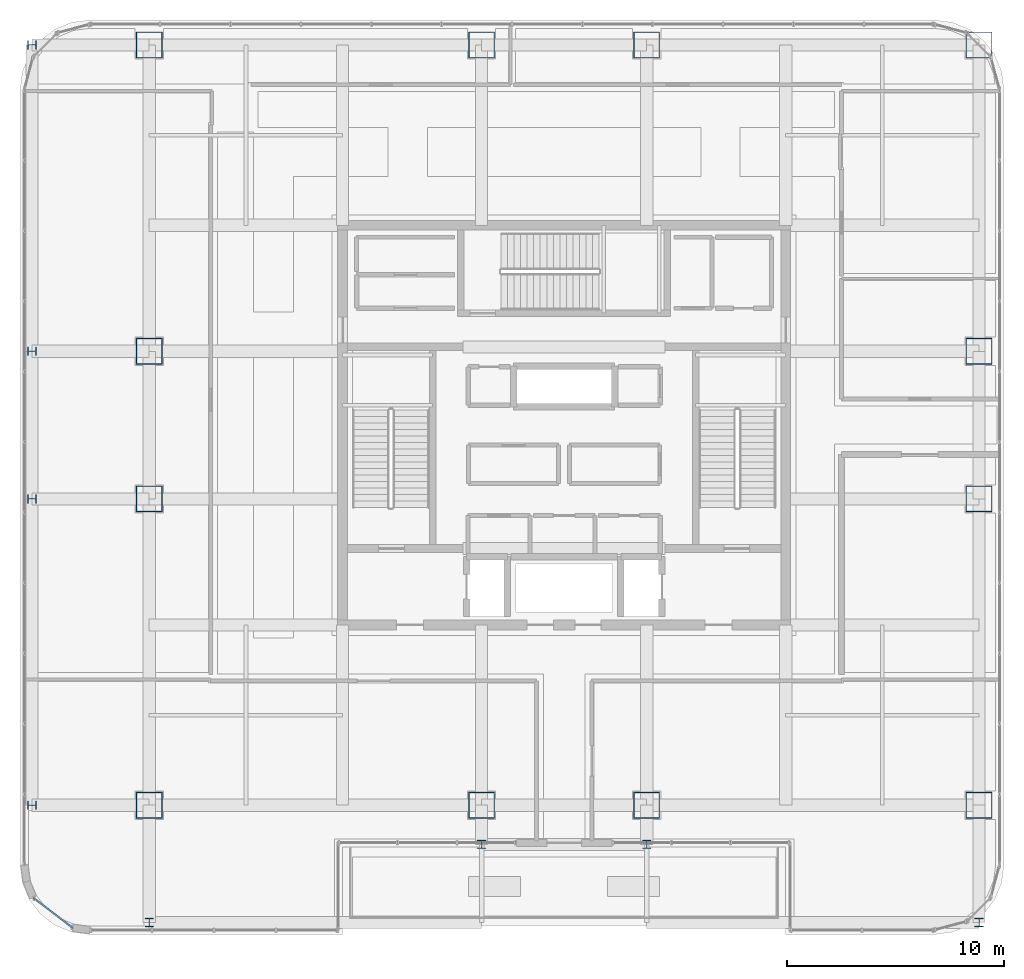
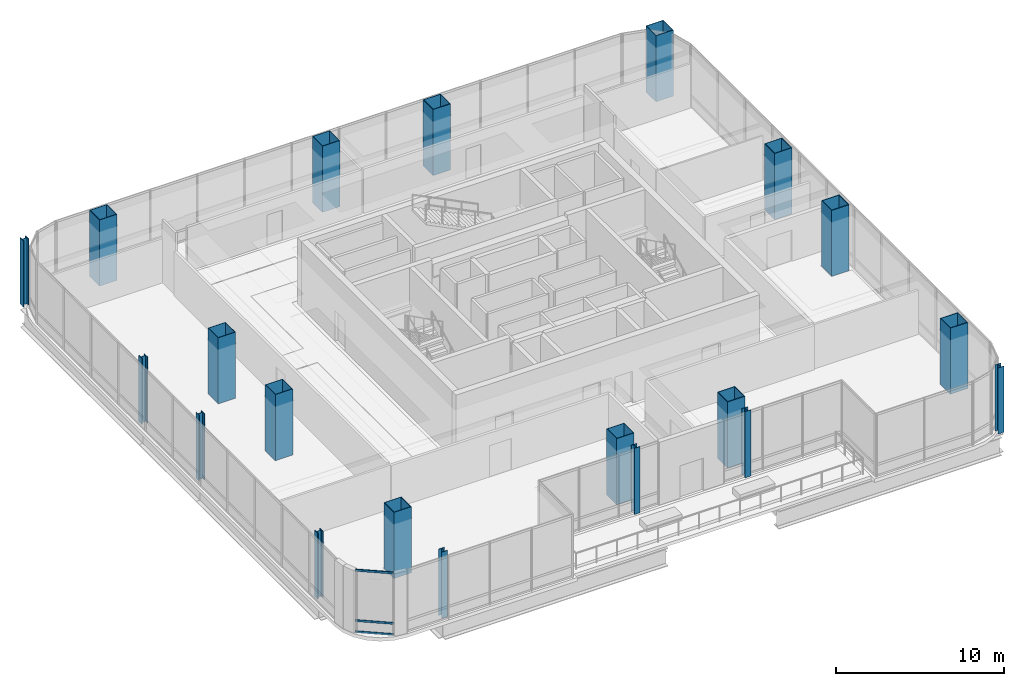
# One storey, part 1 of 44: 20 columns, 3 members, 1 element without a shape of its own.
"""IFC4 building model written with IfcOpenShell, lengths in metres."""

from ifc_helpers import new_model, si_unit, direction, frame, origin, origin_2d, place, context, subcontext, project, spatial, hollow_rectangle, i_section, extrude, material, material_profile, profile_set, type_object, element, aggregate, save


model = new_model("IFC4")

# Units and contexts
model_context = context("Model", 3, precision=1e-05, world=origin(), true_north=direction((0.0, 1.0)))
body_context = subcontext(model_context, "Body", "Model", "MODEL_VIEW")
ifc_project = project(units=[si_unit("LENGTHUNIT", "METRE"), si_unit("AREAUNIT", "SQUARE_METRE"), si_unit("VOLUMEUNIT", "CUBIC_METRE"), si_unit("PLANEANGLEUNIT", "RADIAN"), si_unit("MASSUNIT", "GRAM", prefix="KILO")], contexts=[model_context])

# Site, building, storey
site_placement = place(None, origin())
site = spatial("IfcSite", under=ifc_project, at=site_placement, CompositionType="ELEMENT")
building_placement = place(site_placement, origin())
building = spatial("IfcBuilding", under=site, at=building_placement, Name="Punatoya Terracotta Tower", CompositionType="ELEMENT")
storey_placement = place(building_placement, frame((0.0, 0.0, 334.199951171875)))
storey = spatial("IfcBuildingStorey", under=building, at=storey_placement, Name="L79", CompositionType="ELEMENT", Elevation=334.199951171875)

# Columns
ifc_material_1 = material(Name="Steel S355", Category="steel")
ifc_material_profile_1 = material_profile(ifc_material_1, i_section(OverallWidth=0.40087890625, OverallDepth=0.39892578125, WebThickness=0.02490234375, FlangeThickness=0.0400390625, FilletRadius=0.01806640625, at=origin_2d()))
ifc_profile_set_1 = profile_set([ifc_material_profile_1], Name="Steel S355")
column_type_1 = type_object("IfcColumnType", Name="COL-EX-OB", PredefinedType="COLUMN", material=ifc_profile_set_1)
for number, where, z_axis, x_axis, name in (
    (1, (-19.10009765625, -22.89990234375, 0.0), (0.0, 0.0, 1.0), (1.0, 0.0, 0.0), "L79 Exoskeleton Perimeter Column S1"),
    (2, (-3.800048828125, -19.300048828125, 0.0), (0.0, 0.0, 1.0), (1.0, 0.0, 0.0), "L79 Exoskeleton Perimeter Column S2"),
    (3, (3.800048828125, -19.300048828125, 0.0), (0.0, 0.0, 1.0), (1.0, 0.0, 0.0), "L79 Exoskeleton Perimeter Column S3"),
    (4, (19.10009765625, -22.89990234375, 0.0), (0.0, 0.0, 1.0), (1.0, 0.0, 0.0), "L79 Exoskeleton Perimeter Column S4"),
    (5, (-24.5, -17.5, 0.0), (0.0, 0.0, 1.0), (0.0, 1.0, 0.0), "L79 Exoskeleton Perimeter Column W1"),
    (6, (-24.5, -3.39990234375, 0.0), (0.0, 0.0, 1.0), (0.0, 1.0, 0.0), "L79 Exoskeleton Perimeter Column W2"),
    (7, (-24.5, 3.39990234375, 0.0), (0.0, 0.0, 1.0), (0.0, 1.0, 0.0), "L79 Exoskeleton Perimeter Column W3"),
    (8, (-24.5, 17.5, 0.0), (0.0, 0.0, 1.0), (0.0, 1.0, 0.0), "L79 Exoskeleton Perimeter Column W4"),
):
    element("IfcColumn", number, at=place(storey_placement, frame(where, z_axis=z_axis, x_axis=x_axis)), inside=storey, type_object=column_type_1, Name=name, PredefinedType="COLUMN", context=body_context, shape_type="SweptSolid", body=[
        extrude(i_section(OverallWidth=0.40087890625, OverallDepth=0.39892578125, WebThickness=0.02490234375, FlangeThickness=0.0400390625, FilletRadius=0.01806640625, at=origin_2d()), origin(), (0.0, 0.0, 1.0), 4.798095703125),
    ])
ifc_material_2 = material(Name="Steel S460", Category="steel")
ifc_material_profile_2 = material_profile(ifc_material_2, hollow_rectangle(XDim=1.199951171875, YDim=1.199951171875, WallThickness=0.034912109375, at=origin_2d()))
ifc_profile_set_2 = profile_set([ifc_material_profile_2], Name="Steel S460")
column_type_2 = type_object("IfcColumnType", Name="COL-MC-Z4", PredefinedType="COLUMN", material=ifc_profile_set_2)
for number, where, z_axis, x_axis, name in (
    (9, (-19.10009765625, -17.5, 0.0), (0.0, 0.0, 1.0), (1.0, 0.0, 0.0), "L79 Composite Mega-Column MC-01 (3-B)"),
    (10, (-3.800048828125, -17.5, 0.0), (0.0, 0.0, 1.0), (1.0, 0.0, 0.0), "L79 Composite Mega-Column MC-02 (5-B)"),
    (11, (3.800048828125, -17.5, 0.0), (0.0, 0.0, 1.0), (1.0, 0.0, 0.0), "L79 Composite Mega-Column MC-03 (7-B)"),
    (12, (19.10009765625, -17.5, 0.0), (0.0, 0.0, 1.0), (1.0, 0.0, 0.0), "L79 Composite Mega-Column MC-04 (9-B)"),
    (13, (19.10009765625, -3.39990234375, 0.0), (0.0, 0.0, 1.0), (1.0, 0.0, 0.0), "L79 Composite Mega-Column MC-05 (9-D)"),
    (14, (19.10009765625, 3.39990234375, 0.0), (0.0, 0.0, 1.0), (1.0, 0.0, 0.0), "L79 Composite Mega-Column MC-06 (9-E)"),
    (15, (19.10009765625, 17.5, 0.0), (0.0, 0.0, 1.0), (1.0, 0.0, 0.0), "L79 Composite Mega-Column MC-07 (9-G)"),
    (16, (3.800048828125, 17.5, 0.0), (0.0, 0.0, 1.0), (1.0, 0.0, 0.0), "L79 Composite Mega-Column MC-08 (7-G)"),
    (17, (-3.800048828125, 17.5, 0.0), (0.0, 0.0, 1.0), (1.0, 0.0, 0.0), "L79 Composite Mega-Column MC-09 (5-G)"),
    (18, (-19.10009765625, 17.5, 0.0), (0.0, 0.0, 1.0), (1.0, 0.0, 0.0), "L79 Composite Mega-Column MC-10 (3-G)"),
    (19, (-19.10009765625, 3.39990234375, 0.0), (0.0, 0.0, 1.0), (1.0, 0.0, 0.0), "L79 Composite Mega-Column MC-11 (3-E)"),
    (20, (-19.10009765625, -3.39990234375, 0.0), (0.0, 0.0, 1.0), (1.0, 0.0, 0.0), "L79 Composite Mega-Column MC-12 (3-D)"),
):
    element("IfcColumn", number, at=place(storey_placement, frame(where, z_axis=z_axis, x_axis=x_axis)), inside=storey, type_object=column_type_2, Name=name, PredefinedType="COLUMN", context=body_context, shape_type="SweptSolid", body=[
        extrude(hollow_rectangle(XDim=1.199951171875, YDim=1.199951171875, WallThickness=0.034912109375, at=origin_2d()), origin(), (0.0, 0.0, 1.0), 4.800048828125),
    ])

# Curtain wall, members
ifc_material_3 = material(Name="Aluminium 6063-T6 + Double Low-E Glass", Category="aluminium")
curtain_wall_type = type_object("IfcCurtainWallType", Name="CW-OBS", PredefinedType="NOTDEFINED", material=ifc_material_3)
curtain_wall_placement = place(storey_placement, origin())
curtain_wall = element("IfcCurtainWall", 21, at=curtain_wall_placement, inside=storey, type_object=curtain_wall_type, Name="L79 Curtain Wall CW-L79-CRN21", PredefinedType="NOTDEFINED")
ifc_material_4 = material(Name="Aluminium 6063-T6", Category="aluminium")
ifc_material_profile_3 = material_profile(ifc_material_4, hollow_rectangle(XDim=0.068115234375, YDim=0.14990234375, WallThickness=0.00390625, at=origin_2d()))
ifc_profile_set_3 = profile_set([ifc_material_profile_3], Name="Aluminium 6063-T6")
member_type = type_object("IfcMemberType", Name="CW-TRN-TYP", PredefinedType="USERDEFINED", material=ifc_profile_set_3)
member_1_placement = place(storey_placement, frame((-24.446533203125, -21.7490234375, 0.0400390625), z_axis=(0.79335114879, -0.608764285018, 0.0), x_axis=(0.608764285018, 0.79335114879, 0.0)))
member_1 = element("IfcMember", 22, at=member_1_placement, type_object=member_type, Name="CW-L79-CRN21 Transom 1", ObjectType="TRANSOM", PredefinedType="USERDEFINED", context=body_context, shape_type="SweptSolid", body=[
    extrude(hollow_rectangle(XDim=0.068115234375, YDim=0.14990234375, WallThickness=0.00390625, at=origin_2d()), origin(), (0.0, 0.0, 1.0), 2.294677734375),
])
member_2_placement = place(storey_placement, frame((-24.446533203125, -21.7490234375, 0.85009765625), z_axis=(0.79335114879, -0.608764285018, 0.0), x_axis=(0.608764285018, 0.79335114879, 0.0)))
member_2 = element("IfcMember", 23, at=member_2_placement, type_object=member_type, Name="CW-L79-CRN21 Transom 2", ObjectType="TRANSOM", PredefinedType="USERDEFINED", context=body_context, shape_type="SweptSolid", body=[
    extrude(hollow_rectangle(XDim=0.068115234375, YDim=0.14990234375, WallThickness=0.00390625, at=origin_2d()), origin(), (0.0, 0.0, 1.0), 2.294677734375),
])
member_3_placement = place(storey_placement, frame((-24.446533203125, -21.7490234375, 4.5), z_axis=(0.79335114879, -0.608764285018, 0.0), x_axis=(0.608764285018, 0.79335114879, 0.0)))
member_3 = element("IfcMember", 24, at=member_3_placement, type_object=member_type, Name="CW-L79-CRN21 Transom 3", ObjectType="TRANSOM", PredefinedType="USERDEFINED", context=body_context, shape_type="SweptSolid", body=[
    extrude(hollow_rectangle(XDim=0.068115234375, YDim=0.14990234375, WallThickness=0.00390625, at=origin_2d()), origin(), (0.0, 0.0, 1.0), 2.294677734375),
])
aggregate(curtain_wall, [member_1, member_2, member_3])

save(model, "model.ifc")
